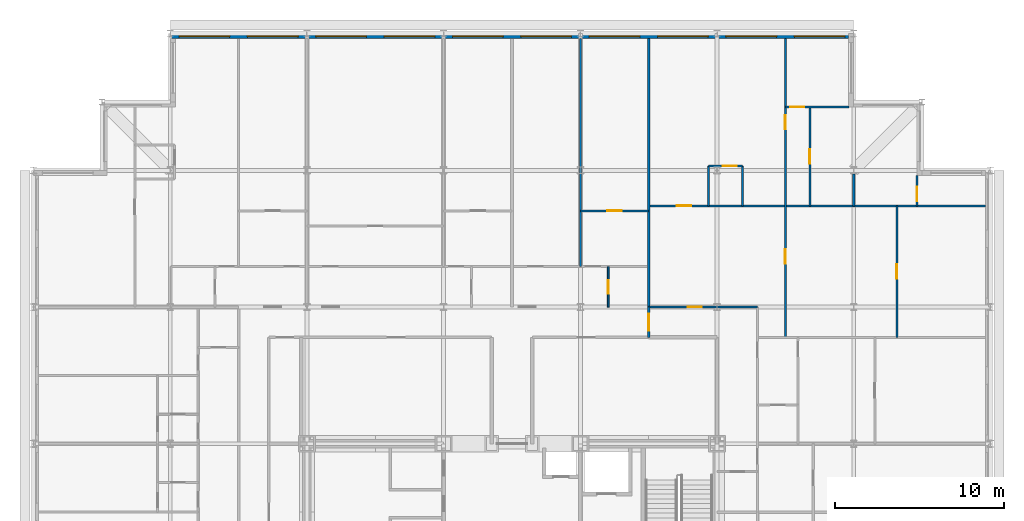
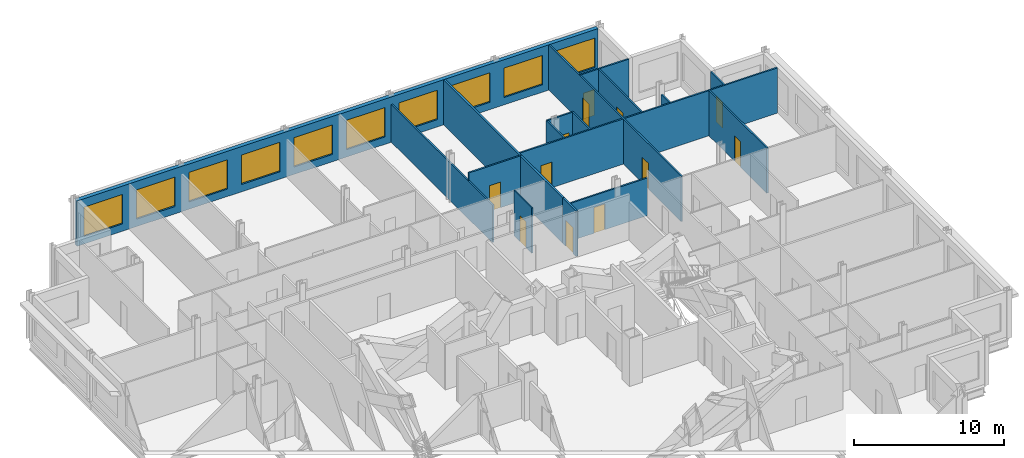
# One storey, part 13 of 15: 17 walls, 12 doors, 10 windows, 22 openings.
"""IFC4 building model written with IfcOpenShell, lengths in metres."""

from ifc_helpers import new_model, si_unit, direction, frame, frame_2d, origin, place, context, subcontext, project, spatial, rectangle, extrude, material, layer, layer_set, type_object, element, fill, save


model = new_model("IFC4")

# Units and contexts
model_context = context("Model", 3, precision=1e-05, world=origin(), true_north=direction((0.0, 1.0)))
body_context = subcontext(model_context, "Body", "Model", "MODEL_VIEW")
ifc_project = project(units=[si_unit("LENGTHUNIT", "METRE"), si_unit("AREAUNIT", "SQUARE_METRE"), si_unit("VOLUMEUNIT", "CUBIC_METRE"), si_unit("PLANEANGLEUNIT", "RADIAN"), si_unit("MASSUNIT", "GRAM", prefix="KILO")], contexts=[model_context])

# Site, building, storey
site_placement = place(None, origin())
site = spatial("IfcSite", under=ifc_project, at=site_placement, CompositionType="ELEMENT")
building_placement = place(site_placement, origin())
building = spatial("IfcBuilding", under=site, at=building_placement, Name="Kopane Lantern Tower", CompositionType="ELEMENT")
storey_placement = place(building_placement, frame((0.0, 0.0, 285.300048828125)))
storey = spatial("IfcBuildingStorey", under=building, at=storey_placement, Name="L73", CompositionType="ELEMENT", Elevation=285.300048828125)

# Wall
ifc_material_1 = material(Name="Gypsum board on steel studs", Category="steel")
ifc_layer_1 = layer(ifc_material_1, 0.1201171875)
ifc_layer_set_1 = layer_set([ifc_layer_1], Name="APARTMENT INTERNAL WALL 120")
wall_type_1 = type_object("IfcWallType", Name="APARTMENT INTERNAL WALL 120", PredefinedType="PARTITIONING", material=ifc_layer_set_1)
wall_1_placement = place(storey_placement, frame((32.39990234375, 51.0, 0.0), z_axis=(0.0, 0.0, 1.0), x_axis=(0.0, 1.0, 0.0)))
element("IfcWall", 1, at=wall_1_placement, inside=storey, type_object=wall_type_1, Name="Apartment Internal Wall 120 L73", PredefinedType="PARTITIONING", context=body_context, shape_type="SweptSolid", body=[
    extrude(rectangle(XDim=13.5, YDim=0.1201171875, at=frame_2d((6.75, 0.0))), origin(), (0.0, 0.0, 1.0), 3.07763671875),
])

# Wall, opening, door
wall_2_placement = place(storey_placement, frame((36.449951171875, 48.60009765625, 0.0), z_axis=(0.0, 0.0, 1.0), x_axis=(1.0, 0.0, 0.0)))
wall_2 = element("IfcWall", 2, at=wall_2_placement, inside=storey, type_object=wall_type_1, Name="Apartment Internal Wall 120 L73", PredefinedType="PARTITIONING", context=body_context, shape_type="SweptSolid", body=[
    extrude(rectangle(XDim=6.449951171875, YDim=0.1201171875, at=frame_2d((3.22509765625, 0.0))), origin(), (0.0, 0.0, 1.0), 3.07763671875),
])
opening_1_placement = place(wall_2_placement, frame((2.300048828125, 0.0, 0.0)))
opening_1 = element("IfcOpeningElement", 3, at=opening_1_placement, cuts=wall_2, Name="Opening L73-047", PredefinedType="OPENING", context=body_context, shape_type="SweptSolid", body=[
    extrude(rectangle(XDim=0.85009765625, YDim=2.10009765625, at=frame_2d((0.425048828125, 1.050048828125))), frame((0.0, 0.070068359375, 0.0), z_axis=(0.0, -1.0, 0.0), x_axis=(1.0, 0.0, 0.0)), (0.0, 0.0, 1.0), 0.14013671875),
])
ifc_material_2 = material(Name="Timber door set", Category="wood")
door_type_1 = type_object("IfcDoorType", Name="DOOR D4 850x2100", OperationType="SINGLE_SWING_LEFT", PredefinedType="DOOR", material=ifc_material_2)
door_1_placement = place(opening_1_placement, origin())
door_1 = element("IfcDoor", 4, at=door_1_placement, inside=storey, type_object=door_type_1, Name="Door L73-047", OperationType="SINGLE_SWING_LEFT", OverallHeight=2.10009765625, OverallWidth=0.85009765625, PredefinedType="DOOR", context=body_context, shape_type="SweptSolid", body=[
    extrude(rectangle(XDim=0.85009765625, YDim=2.10009765625, at=frame_2d((0.425048828125, 1.050048828125))), frame((0.0, 0.02490234375, 0.0), z_axis=(0.0, -1.0, 0.0), x_axis=(1.0, 0.0, 0.0)), (0.0, 0.0, 1.0), 0.050048828125),
])
fill(opening_1, door_1)

wall_3_placement = place(storey_placement, frame((36.449951171875, 54.60009765625, 0.0), z_axis=(0.0, 0.0, 1.0), x_axis=(1.0, 0.0, 0.0)))
wall_3 = element("IfcWall", 5, at=wall_3_placement, inside=storey, type_object=wall_type_1, Name="Apartment Internal Wall 120 L73", PredefinedType="PARTITIONING", context=body_context, shape_type="SweptSolid", body=[
    extrude(rectangle(XDim=19.949951171875, YDim=0.1201171875, at=frame_2d((9.97509765625, 0.0))), origin(), (0.0, 0.0, 1.0), 3.68994140625),
])
opening_2_placement = place(wall_3_placement, frame((1.675048828125, 0.0, 0.0)))
opening_2 = element("IfcOpeningElement", 6, at=opening_2_placement, cuts=wall_3, Name="Opening L73-048", PredefinedType="OPENING", context=body_context, shape_type="SweptSolid", body=[
    extrude(rectangle(XDim=0.85009765625, YDim=2.10009765625, at=frame_2d((0.425048828125, 1.050048828125))), frame((0.0, 0.070068359375, 0.0), z_axis=(0.0, -1.0, 0.0), x_axis=(1.0, 0.0, 0.0)), (0.0, 0.0, 1.0), 0.14013671875),
])
door_2_placement = place(opening_2_placement, origin())
door_2 = element("IfcDoor", 7, at=door_2_placement, inside=storey, type_object=door_type_1, Name="Door L73-048", OperationType="SINGLE_SWING_LEFT", OverallHeight=2.10009765625, OverallWidth=0.85009765625, PredefinedType="DOOR", context=body_context, shape_type="SweptSolid", body=[
    extrude(rectangle(XDim=0.85009765625, YDim=2.10009765625, at=frame_2d((0.425048828125, 1.050048828125))), frame((0.0, 0.02490234375, 0.0), z_axis=(0.0, -1.0, 0.0), x_axis=(1.0, 0.0, 0.0)), (0.0, 0.0, 1.0), 0.050048828125),
])
fill(opening_2, door_2)

# Wall, openings, doors
wall_4_placement = place(storey_placement, frame((44.550048828125, 64.5, 0.0), z_axis=(0.0, 0.0, 1.0), x_axis=(0.0, -1.0, 0.0)))
wall_4 = element("IfcWall", 8, at=wall_4_placement, inside=storey, type_object=wall_type_1, Name="Apartment Internal Wall 120 L73", PredefinedType="PARTITIONING", context=body_context, shape_type="SweptSolid", body=[
    extrude(rectangle(XDim=17.699951171875, YDim=0.1201171875, at=frame_2d((8.85009765625, 0.0))), origin(), (0.0, 0.0, 1.0), 3.68994140625),
])
opening_3_placement = place(wall_4_placement, frame((12.47509765625, 0.0, 0.0)))
opening_3 = element("IfcOpeningElement", 9, at=opening_3_placement, cuts=wall_4, Name="Opening L73-049", PredefinedType="OPENING", context=body_context, shape_type="SweptSolid", body=[
    extrude(rectangle(XDim=0.85009765625, YDim=2.10009765625, at=frame_2d((0.425048828125, 1.050048828125))), frame((0.0, 0.070068359375, 0.0), z_axis=(0.0, -1.0, 0.0), x_axis=(1.0, 0.0, 0.0)), (0.0, 0.0, 1.0), 0.14013671875),
])
opening_4_placement = place(wall_4_placement, frame((4.52490234375, 0.0, 0.0)))
opening_4 = element("IfcOpeningElement", 10, at=opening_4_placement, cuts=wall_4, Name="Opening L73-050", PredefinedType="OPENING", context=body_context, shape_type="SweptSolid", body=[
    extrude(rectangle(XDim=0.85009765625, YDim=2.10009765625, at=frame_2d((0.425048828125, 1.050048828125))), frame((0.0, 0.070068359375, 0.0), z_axis=(0.0, -1.0, 0.0), x_axis=(1.0, 0.0, 0.0)), (0.0, 0.0, 1.0), 0.14013671875),
])
door_3_placement = place(opening_3_placement, origin())
door_3 = element("IfcDoor", 11, at=door_3_placement, inside=storey, type_object=door_type_1, Name="Door L73-049", OperationType="SINGLE_SWING_LEFT", OverallHeight=2.10009765625, OverallWidth=0.85009765625, PredefinedType="DOOR", context=body_context, shape_type="SweptSolid", body=[
    extrude(rectangle(XDim=0.85009765625, YDim=2.10009765625, at=frame_2d((0.425048828125, 1.050048828125))), frame((0.0, 0.02490234375, 0.0), z_axis=(0.0, -1.0, 0.0), x_axis=(1.0, 0.0, 0.0)), (0.0, 0.0, 1.0), 0.050048828125),
])
fill(opening_3, door_3)
door_4_placement = place(opening_4_placement, origin())
door_4 = element("IfcDoor", 12, at=door_4_placement, inside=storey, type_object=door_type_1, Name="Door L73-050", OperationType="SINGLE_SWING_LEFT", OverallHeight=2.10009765625, OverallWidth=0.85009765625, PredefinedType="DOOR", context=body_context, shape_type="SweptSolid", body=[
    extrude(rectangle(XDim=0.85009765625, YDim=2.10009765625, at=frame_2d((0.425048828125, 1.050048828125))), frame((0.0, 0.02490234375, 0.0), z_axis=(0.0, -1.0, 0.0), x_axis=(1.0, 0.0, 0.0)), (0.0, 0.0, 1.0), 0.050048828125),
])
fill(opening_4, door_4)

# Wall, opening, door
wall_5_placement = place(storey_placement, frame((52.35009765625, 54.60009765625, 0.0), z_axis=(0.0, 0.0, 1.0), x_axis=(0.0, 1.0, 0.0)))
wall_5 = element("IfcWall", 13, at=wall_5_placement, inside=storey, type_object=wall_type_1, Name="Apartment Internal Wall 120 L73", PredefinedType="PARTITIONING", context=body_context, shape_type="SweptSolid", body=[
    extrude(rectangle(XDim=1.7998046875, YDim=0.1201171875, at=frame_2d((0.89990234375, 0.0))), origin(), (0.0, 0.0, 1.0), 3.68994140625),
])
opening_5_placement = place(wall_5_placement, frame((0.27490234375, 0.0, 0.0)))
opening_5 = element("IfcOpeningElement", 14, at=opening_5_placement, cuts=wall_5, Name="Opening L73-057", PredefinedType="OPENING", context=body_context, shape_type="SweptSolid", body=[
    extrude(rectangle(XDim=0.85009765625, YDim=2.10009765625, at=frame_2d((0.425048828125, 1.050048828125))), frame((0.0, 0.070068359375, 0.0), z_axis=(0.0, -1.0, 0.0), x_axis=(1.0, 0.0, 0.0)), (0.0, 0.0, 1.0), 0.14013671875),
])
door_5_placement = place(opening_5_placement, origin())
door_5 = element("IfcDoor", 15, at=door_5_placement, inside=storey, type_object=door_type_1, Name="Door L73-057", OperationType="SINGLE_SWING_RIGHT", OverallHeight=2.10009765625, OverallWidth=0.85009765625, PredefinedType="DOOR", context=body_context, shape_type="SweptSolid", body=[
    extrude(rectangle(XDim=0.85009765625, YDim=2.10009765625, at=frame_2d((0.425048828125, 1.050048828125))), frame((0.0, 0.02490234375, 0.0), z_axis=(0.0, -1.0, 0.0), x_axis=(1.0, 0.0, 0.0)), (0.0, 0.0, 1.0), 0.050048828125),
])
fill(opening_5, door_5)

wall_6_placement = place(storey_placement, frame((48.31005859375, 60.449951171875, 0.0), z_axis=(0.0, 0.0, 1.0), x_axis=(-1.0, 0.0, 0.0)))
wall_6 = element("IfcWall", 16, at=wall_6_placement, inside=storey, type_object=wall_type_1, Name="Apartment Internal Wall 120 L73", PredefinedType="PARTITIONING", context=body_context, shape_type="SweptSolid", body=[
    extrude(rectangle(XDim=3.760009765625, YDim=0.1201171875, at=frame_2d((1.8798828125, 0.0))), origin(), (0.0, 0.0, 1.0), 3.68994140625),
])
opening_6_placement = place(wall_6_placement, frame((2.635009765625, 0.0, 0.0)))
opening_6 = element("IfcOpeningElement", 17, at=opening_6_placement, cuts=wall_6, Name="Opening L73-058", PredefinedType="OPENING", context=body_context, shape_type="SweptSolid", body=[
    extrude(rectangle(XDim=0.85009765625, YDim=2.10009765625, at=frame_2d((0.425048828125, 1.050048828125))), frame((0.0, 0.070068359375, 0.0), z_axis=(0.0, -1.0, 0.0), x_axis=(1.0, 0.0, 0.0)), (0.0, 0.0, 1.0), 0.14013671875),
])
door_6_placement = place(opening_6_placement, origin())
door_6 = element("IfcDoor", 18, at=door_6_placement, inside=storey, type_object=door_type_1, Name="Door L73-058", OperationType="SINGLE_SWING_LEFT", OverallHeight=2.10009765625, OverallWidth=0.85009765625, PredefinedType="DOOR", context=body_context, shape_type="SweptSolid", body=[
    extrude(rectangle(XDim=0.85009765625, YDim=2.10009765625, at=frame_2d((0.425048828125, 1.050048828125))), frame((0.0, 0.02490234375, 0.0), z_axis=(0.0, -1.0, 0.0), x_axis=(1.0, 0.0, 0.0)), (0.0, 0.0, 1.0), 0.050048828125),
])
fill(opening_6, door_6)

wall_7_placement = place(storey_placement, frame((32.39990234375, 54.300048828125, 0.0), z_axis=(0.0, 0.0, 1.0), x_axis=(1.0, 0.0, 0.0)))
wall_7 = element("IfcWall", 19, at=wall_7_placement, inside=storey, type_object=wall_type_1, Name="Apartment Internal Wall 120 L73", PredefinedType="PARTITIONING", context=body_context, shape_type="SweptSolid", body=[
    extrude(rectangle(XDim=4.050048828125, YDim=0.1201171875, at=frame_2d((2.02490234375, 0.0))), origin(), (0.0, 0.0, 1.0), 3.68994140625),
])
opening_7_placement = place(wall_7_placement, frame((1.60009765625, 0.0, 0.0)))
opening_7 = element("IfcOpeningElement", 20, at=opening_7_placement, cuts=wall_7, Name="Opening L73-062", PredefinedType="OPENING", context=body_context, shape_type="SweptSolid", body=[
    extrude(rectangle(XDim=0.85009765625, YDim=2.10009765625, at=frame_2d((0.425048828125, 1.050048828125))), frame((0.0, 0.070068359375, 0.0), z_axis=(0.0, -1.0, 0.0), x_axis=(1.0, 0.0, 0.0)), (0.0, 0.0, 1.0), 0.14013671875),
])
door_7_placement = place(opening_7_placement, origin())
door_7 = element("IfcDoor", 21, at=door_7_placement, inside=storey, type_object=door_type_1, Name="Door L73-062", OperationType="SINGLE_SWING_RIGHT", OverallHeight=2.10009765625, OverallWidth=0.85009765625, PredefinedType="DOOR", context=body_context, shape_type="SweptSolid", body=[
    extrude(rectangle(XDim=0.85009765625, YDim=2.10009765625, at=frame_2d((0.425048828125, 1.050048828125))), frame((0.0, 0.02490234375, 0.0), z_axis=(0.0, -1.0, 0.0), x_axis=(1.0, 0.0, 0.0)), (0.0, 0.0, 1.0), 0.050048828125),
])
fill(opening_7, door_7)

wall_8_placement = place(storey_placement, frame((51.14990234375, 46.800048828125, 0.0), z_axis=(0.0, 0.0, 1.0), x_axis=(0.0, 1.0, 0.0)))
wall_8 = element("IfcWall", 22, at=wall_8_placement, inside=storey, type_object=wall_type_1, Name="Apartment Internal Wall 120 L73", PredefinedType="PARTITIONING", context=body_context, shape_type="SweptSolid", body=[
    extrude(rectangle(XDim=7.800048828125, YDim=0.1201171875, at=frame_2d((3.89990234375, 0.0))), origin(), (0.0, 0.0, 1.0), 3.68994140625),
])
opening_8_placement = place(wall_8_placement, frame((3.47509765625, 0.0, 0.0)))
opening_8 = element("IfcOpeningElement", 23, at=opening_8_placement, cuts=wall_8, Name="Opening L73-069", PredefinedType="OPENING", context=body_context, shape_type="SweptSolid", body=[
    extrude(rectangle(XDim=0.85009765625, YDim=2.10009765625, at=frame_2d((0.425048828125, 1.050048828125))), frame((0.0, 0.070068359375, 0.0), z_axis=(0.0, -1.0, 0.0), x_axis=(1.0, 0.0, 0.0)), (0.0, 0.0, 1.0), 0.14013671875),
])
door_8_placement = place(opening_8_placement, origin())
door_8 = element("IfcDoor", 24, at=door_8_placement, inside=storey, type_object=door_type_1, Name="Door L73-069", OperationType="SINGLE_SWING_RIGHT", OverallHeight=2.10009765625, OverallWidth=0.85009765625, PredefinedType="DOOR", context=body_context, shape_type="SweptSolid", body=[
    extrude(rectangle(XDim=0.85009765625, YDim=2.10009765625, at=frame_2d((0.425048828125, 1.050048828125))), frame((0.0, 0.02490234375, 0.0), z_axis=(0.0, -1.0, 0.0), x_axis=(1.0, 0.0, 0.0)), (0.0, 0.0, 1.0), 0.050048828125),
])
fill(opening_8, door_8)

wall_9_placement = place(storey_placement, frame((46.0, 54.60009765625, 0.0), z_axis=(0.0, 0.0, 1.0), x_axis=(0.0, 1.0, 0.0)))
wall_9 = element("IfcWall", 25, at=wall_9_placement, inside=storey, type_object=wall_type_1, Name="Apartment Internal Wall 120 L73", PredefinedType="PARTITIONING", context=body_context, shape_type="SweptSolid", body=[
    extrude(rectangle(XDim=5.849853515625, YDim=0.1201171875, at=frame_2d((2.9248046875, 0.0))), origin(), (0.0, 0.0, 1.0), 3.68994140625),
])
opening_9_placement = place(wall_9_placement, frame((2.5, 0.0, 0.0)))
opening_9 = element("IfcOpeningElement", 26, at=opening_9_placement, cuts=wall_9, Name="Opening L73-070", PredefinedType="OPENING", context=body_context, shape_type="SweptSolid", body=[
    extrude(rectangle(XDim=0.85009765625, YDim=2.10009765625, at=frame_2d((0.425048828125, 1.050048828125))), frame((0.0, 0.070068359375, 0.0), z_axis=(0.0, -1.0, 0.0), x_axis=(1.0, 0.0, 0.0)), (0.0, 0.0, 1.0), 0.14013671875),
])
door_9_placement = place(opening_9_placement, origin())
door_9 = element("IfcDoor", 27, at=door_9_placement, inside=storey, type_object=door_type_1, Name="Door L73-070", OperationType="SINGLE_SWING_LEFT", OverallHeight=2.10009765625, OverallWidth=0.85009765625, PredefinedType="DOOR", context=body_context, shape_type="SweptSolid", body=[
    extrude(rectangle(XDim=0.85009765625, YDim=2.10009765625, at=frame_2d((0.425048828125, 1.050048828125))), frame((0.0, 0.02490234375, 0.0), z_axis=(0.0, -1.0, 0.0), x_axis=(1.0, 0.0, 0.0)), (0.0, 0.0, 1.0), 0.050048828125),
])
fill(opening_9, door_9)

# Walls
for number, where, z_axis, x_axis, name in (
    (28, (39.9970703125, 54.60009765625, 0.0), (0.0, 0.0, 1.0), (0.0, 1.0, 0.0), "Apartment Internal Wall 120 L73"),
    (29, (42.0029296875, 54.60009765625, 0.0), (0.0, 0.0, 1.0), (0.0, 1.0, 0.0), "Apartment Internal Wall 120 L73"),
):
    element("IfcWall", number, at=place(storey_placement, frame(where, z_axis=z_axis, x_axis=x_axis)), inside=storey, type_object=wall_type_1, Name=name, PredefinedType="PARTITIONING", context=body_context, shape_type="SweptSolid", body=[
        extrude(rectangle(XDim=2.36279296875, YDim=0.1201171875, at=frame_2d((1.181396484375, 0.0))), origin(), (0.0, 0.0, 1.0), 3.68994140625),
    ])

# Wall, opening, door
wall_10_placement = place(storey_placement, frame((39.9970703125, 56.962890625, 0.0), z_axis=(0.0, 0.0, 1.0), x_axis=(1.0, 0.0, 0.0)))
wall_10 = element("IfcWall", 30, at=wall_10_placement, inside=storey, type_object=wall_type_1, Name="Apartment Internal Wall 120 L73", PredefinedType="PARTITIONING", context=body_context, shape_type="SweptSolid", body=[
    extrude(rectangle(XDim=2.005859375, YDim=0.1201171875, at=frame_2d((1.0029296875, 0.0))), origin(), (0.0, 0.0, 1.0), 3.68994140625),
])
opening_10_placement = place(wall_10_placement, frame((0.8310546875, 0.0, 0.0)))
opening_10 = element("IfcOpeningElement", 31, at=opening_10_placement, cuts=wall_10, Name="Opening L73-073", PredefinedType="OPENING", context=body_context, shape_type="SweptSolid", body=[
    extrude(rectangle(XDim=0.85009765625, YDim=2.10009765625, at=frame_2d((0.425048828125, 1.050048828125))), frame((0.0, 0.070068359375, 0.0), z_axis=(0.0, -1.0, 0.0), x_axis=(1.0, 0.0, 0.0)), (0.0, 0.0, 1.0), 0.14013671875),
])
door_10_placement = place(opening_10_placement, origin())
door_10 = element("IfcDoor", 32, at=door_10_placement, inside=storey, type_object=door_type_1, Name="Door L73-073", OperationType="SINGLE_SWING_LEFT", OverallHeight=2.10009765625, OverallWidth=0.85009765625, PredefinedType="DOOR", context=body_context, shape_type="SweptSolid", body=[
    extrude(rectangle(XDim=0.85009765625, YDim=2.10009765625, at=frame_2d((0.425048828125, 1.050048828125))), frame((0.0, 0.02490234375, 0.0), z_axis=(0.0, -1.0, 0.0), x_axis=(1.0, 0.0, 0.0)), (0.0, 0.0, 1.0), 0.050048828125),
])
fill(opening_10, door_10)

# Wall
wall_11_placement = place(storey_placement, frame((48.60009765625, 54.60009765625, 0.0), z_axis=(0.0, 0.0, 1.0), x_axis=(0.0, 1.0, 0.0)))
element("IfcWall", 33, at=wall_11_placement, inside=storey, type_object=wall_type_1, Name="Apartment Internal Wall 120 L73", PredefinedType="PARTITIONING", context=body_context, shape_type="SweptSolid", body=[
    extrude(rectangle(XDim=1.89697265625, YDim=0.1201171875, at=frame_2d((0.948486328125, 0.0))), origin(), (0.0, 0.0, 1.0), 3.07763671875),
])

# Wall, opening, door
ifc_material_3 = material(Name="Moisture-resistant board on steel studs", Category="steel")
ifc_layer_2 = layer(ifc_material_3, 0.10009765625)
ifc_layer_set_2 = layer_set([ifc_layer_2], Name="BATHROOM WALL 100")
wall_type_2 = type_object("IfcWallType", Name="BATHROOM WALL 100", PredefinedType="PARTITIONING", material=ifc_layer_set_2)
wall_12_placement = place(storey_placement, frame((34.050048828125, 48.60009765625, 0.0), z_axis=(0.0, 0.0, 1.0), x_axis=(0.0, 1.0, 0.0)))
wall_12 = element("IfcWall", 34, at=wall_12_placement, inside=storey, type_object=wall_type_2, Name="Bathroom Wall 100 L73", PredefinedType="PARTITIONING", context=body_context, shape_type="SweptSolid", body=[
    extrude(rectangle(XDim=2.39990234375, YDim=0.10009765625, at=frame_2d((1.199951171875, 0.0))), origin(), (0.0, 0.0, 1.0), 3.68994140625),
])
opening_11_placement = place(wall_12_placement, frame((0.800048828125, 0.0, 0.0)))
opening_11 = element("IfcOpeningElement", 35, at=opening_11_placement, cuts=wall_12, Name="Opening L73-017", PredefinedType="OPENING", context=body_context, shape_type="SweptSolid", body=[
    extrude(rectangle(XDim=0.800048828125, YDim=2.10009765625, at=frame_2d((0.39990234375, 1.050048828125))), frame((0.0, 0.06005859375, 0.0), z_axis=(0.0, -1.0, 0.0), x_axis=(1.0, 0.0, 0.0)), (0.0, 0.0, 1.0), 0.1201171875),
])
ifc_material_4 = material(Name="Timber door set", Category="wood")
door_type_2 = type_object("IfcDoorType", Name="DOOR D2 800x2100", OperationType="SINGLE_SWING_LEFT", PredefinedType="DOOR", material=ifc_material_4)
door_11_placement = place(opening_11_placement, origin())
door_11 = element("IfcDoor", 36, at=door_11_placement, inside=storey, type_object=door_type_2, Name="Door L73-017", OperationType="SINGLE_SWING_RIGHT", OverallHeight=2.10009765625, OverallWidth=0.800048828125, PredefinedType="DOOR", context=body_context, shape_type="SweptSolid", body=[
    extrude(rectangle(XDim=0.800048828125, YDim=2.10009765625, at=frame_2d((0.39990234375, 1.050048828125))), frame((0.0, 0.02490234375, 0.0), z_axis=(0.0, -1.0, 0.0), x_axis=(1.0, 0.0, 0.0)), (0.0, 0.0, 1.0), 0.050048828125),
])
fill(opening_11, door_11)

ifc_material_5 = material(Name="Gypsum board on steel studs", Category="steel")
ifc_layer_3 = layer(ifc_material_5, 0.14990234375)
ifc_layer_set_3 = layer_set([ifc_layer_3], Name="CORRIDOR WALL 150 EI 60")
wall_type_3 = type_object("IfcWallType", Name="CORRIDOR WALL 150 EI 60", PredefinedType="PARTITIONING", material=ifc_layer_set_3)
wall_13_placement = place(storey_placement, frame((36.449951171875, 46.800048828125, 0.0), z_axis=(0.0, 0.0, 1.0), x_axis=(0.0, 1.0, 0.0)))
wall_13 = element("IfcWall", 37, at=wall_13_placement, inside=storey, type_object=wall_type_3, Name="Corridor Wall 150 Ei 60 L73", PredefinedType="PARTITIONING", context=body_context, shape_type="SweptSolid", body=[
    extrude(rectangle(XDim=1.800048828125, YDim=0.14990234375, at=frame_2d((0.89990234375, 0.0))), origin(), (0.0, 0.0, 1.0), 3.68994140625),
])
opening_12_placement = place(wall_13_placement, frame((0.39990234375, 0.0, 0.0)))
opening_12 = element("IfcOpeningElement", 38, at=opening_12_placement, cuts=wall_13, Name="Opening L73-045", PredefinedType="OPENING", context=body_context, shape_type="SweptSolid", body=[
    extrude(rectangle(XDim=1.0, YDim=2.10009765625, at=frame_2d((0.5, 1.050048828125))), frame((0.0, 0.0849609375, 0.0), z_axis=(0.0, -1.0, 0.0), x_axis=(1.0, 0.0, 0.0)), (0.0, 0.0, 1.0), 0.169921875),
])
ifc_material_6 = material(Name="Steel door set", Category="steel")
door_type_3 = type_object("IfcDoorType", Name="DOOR D3 1000x2100 FD30S", OperationType="SINGLE_SWING_LEFT", PredefinedType="DOOR", material=ifc_material_6)
door_12_placement = place(opening_12_placement, origin())
door_12 = element("IfcDoor", 39, at=door_12_placement, inside=storey, type_object=door_type_3, Name="Door L73-045", OperationType="SINGLE_SWING_RIGHT", OverallHeight=2.10009765625, OverallWidth=1.0, PredefinedType="DOOR", context=body_context, shape_type="SweptSolid", body=[
    extrude(rectangle(XDim=1.0, YDim=2.10009765625, at=frame_2d((0.5, 1.050048828125))), frame((0.0, 0.02490234375, 0.0), z_axis=(0.0, -1.0, 0.0), x_axis=(1.0, 0.0, 0.0)), (0.0, 0.0, 1.0), 0.050048828125),
])
fill(opening_12, door_12)

# Wall
ifc_material_7 = material(Name="Gypsum board on steel studs", Category="steel")
ifc_layer_4 = layer(ifc_material_7, 0.14990234375)
ifc_layer_set_4 = layer_set([ifc_layer_4], Name="DEMISING WALL 150 EI 60")
wall_type_4 = type_object("IfcWallType", Name="DEMISING WALL 150 EI 60", PredefinedType="PARTITIONING", material=ifc_layer_set_4)
wall_14_placement = place(storey_placement, frame((36.449951171875, 64.5, 0.0), z_axis=(0.0, 0.0, 1.0), x_axis=(0.0, -1.0, 0.0)))
element("IfcWall", 40, at=wall_14_placement, inside=storey, type_object=wall_type_4, Name="Demising Wall 150 Ei 60 L73", PredefinedType="PARTITIONING", context=body_context, shape_type="SweptSolid", body=[
    extrude(rectangle(XDim=15.89990234375, YDim=0.14990234375, at=frame_2d((7.949951171875, 0.0))), origin(), (0.0, 0.0, 1.0), 3.68994140625),
])

# Wall, openings, windows
ifc_material_8 = material(Name="Terracotta rainscreen on light steel framing", Category="masonry")
ifc_layer_5 = layer(ifc_material_8, 0.300048828125)
ifc_layer_set_5 = layer_set([ifc_layer_5], Name="EXTERNAL WALL EW1 300 TERRACOTTA")
wall_type_5 = type_object("IfcWallType", Name="EXTERNAL WALL EW1 300 TERRACOTTA", PredefinedType="SOLIDWALL", material=ifc_layer_set_5)
wall_15_placement = place(storey_placement, frame((48.300048828125, 64.64990234375, 0.0), z_axis=(0.0, 0.0, 1.0), x_axis=(-1.0, 0.0, 0.0)))
wall_15 = element("IfcWall", 41, at=wall_15_placement, inside=storey, type_object=wall_type_5, Name="External wall N L73", PredefinedType="SOLIDWALL", context=body_context, shape_type="SweptSolid", body=[
    extrude(rectangle(XDim=40.199951171875, YDim=0.300048828125, at=frame_2d((20.10009765625, 0.0))), origin(), (0.0, 0.0, 1.0), 3.68994140625),
])
opening_13_placement = place(wall_15_placement, frame((0.22509765625, 0.0, 0.60009765625)))
opening_13 = element("IfcOpeningElement", 42, at=opening_13_placement, cuts=wall_15, Name="Opening WR300240", PredefinedType="OPENING", context=body_context, shape_type="SweptSolid", body=[
    extrude(rectangle(XDim=3.0, YDim=2.39990234375, at=frame_2d((1.5, 1.199951171875))), frame((0.0, 0.159912109375, 0.0), z_axis=(0.0, -1.0, 0.0), x_axis=(1.0, 0.0, 0.0)), (0.0, 0.0, 1.0), 0.320068359375),
])
opening_14_placement = place(wall_15_placement, frame((4.27490234375, 0.0, 0.60009765625)))
opening_14 = element("IfcOpeningElement", 43, at=opening_14_placement, cuts=wall_15, Name="Opening WR300240", PredefinedType="OPENING", context=body_context, shape_type="SweptSolid", body=[
    extrude(rectangle(XDim=3.0, YDim=2.39990234375, at=frame_2d((1.5, 1.199951171875))), frame((0.0, 0.159912109375, 0.0), z_axis=(0.0, -1.0, 0.0), x_axis=(1.0, 0.0, 0.0)), (0.0, 0.0, 1.0), 0.320068359375),
])
opening_15_placement = place(wall_15_placement, frame((8.324951171875, 0.0, 0.60009765625)))
opening_15 = element("IfcOpeningElement", 44, at=opening_15_placement, cuts=wall_15, Name="Opening WR300240", PredefinedType="OPENING", context=body_context, shape_type="SweptSolid", body=[
    extrude(rectangle(XDim=3.0, YDim=2.39990234375, at=frame_2d((1.5, 1.199951171875))), frame((0.0, 0.159912109375, 0.0), z_axis=(0.0, -1.0, 0.0), x_axis=(1.0, 0.0, 0.0)), (0.0, 0.0, 1.0), 0.320068359375),
])
opening_16_placement = place(wall_15_placement, frame((12.375, 0.0, 0.60009765625)))
opening_16 = element("IfcOpeningElement", 45, at=opening_16_placement, cuts=wall_15, Name="Opening WR300240", PredefinedType="OPENING", context=body_context, shape_type="SweptSolid", body=[
    extrude(rectangle(XDim=3.0, YDim=2.39990234375, at=frame_2d((1.5, 1.199951171875))), frame((0.0, 0.159912109375, 0.0), z_axis=(0.0, -1.0, 0.0), x_axis=(1.0, 0.0, 0.0)), (0.0, 0.0, 1.0), 0.320068359375),
])
opening_17_placement = place(wall_15_placement, frame((16.425048828125, 0.0, 0.60009765625)))
opening_17 = element("IfcOpeningElement", 46, at=opening_17_placement, cuts=wall_15, Name="Opening WR300240", PredefinedType="OPENING", context=body_context, shape_type="SweptSolid", body=[
    extrude(rectangle(XDim=3.0, YDim=2.39990234375, at=frame_2d((1.5, 1.199951171875))), frame((0.0, 0.159912109375, 0.0), z_axis=(0.0, -1.0, 0.0), x_axis=(1.0, 0.0, 0.0)), (0.0, 0.0, 1.0), 0.320068359375),
])
opening_18_placement = place(wall_15_placement, frame((20.47509765625, 0.0, 0.60009765625)))
opening_18 = element("IfcOpeningElement", 47, at=opening_18_placement, cuts=wall_15, Name="Opening WR300240", PredefinedType="OPENING", context=body_context, shape_type="SweptSolid", body=[
    extrude(rectangle(XDim=3.0, YDim=2.39990234375, at=frame_2d((1.5, 1.199951171875))), frame((0.0, 0.159912109375, 0.0), z_axis=(0.0, -1.0, 0.0), x_axis=(1.0, 0.0, 0.0)), (0.0, 0.0, 1.0), 0.320068359375),
])
opening_19_placement = place(wall_15_placement, frame((24.52490234375, 0.0, 0.60009765625)))
opening_19 = element("IfcOpeningElement", 48, at=opening_19_placement, cuts=wall_15, Name="Opening WR300240", PredefinedType="OPENING", context=body_context, shape_type="SweptSolid", body=[
    extrude(rectangle(XDim=3.0, YDim=2.39990234375, at=frame_2d((1.5, 1.199951171875))), frame((0.0, 0.159912109375, 0.0), z_axis=(0.0, -1.0, 0.0), x_axis=(1.0, 0.0, 0.0)), (0.0, 0.0, 1.0), 0.320068359375),
])
opening_20_placement = place(wall_15_placement, frame((28.574951171875, 0.0, 0.60009765625)))
opening_20 = element("IfcOpeningElement", 49, at=opening_20_placement, cuts=wall_15, Name="Opening WR300240", PredefinedType="OPENING", context=body_context, shape_type="SweptSolid", body=[
    extrude(rectangle(XDim=3.0, YDim=2.39990234375, at=frame_2d((1.5, 1.199951171875))), frame((0.0, 0.159912109375, 0.0), z_axis=(0.0, -1.0, 0.0), x_axis=(1.0, 0.0, 0.0)), (0.0, 0.0, 1.0), 0.320068359375),
])
opening_21_placement = place(wall_15_placement, frame((32.625, 0.0, 0.60009765625)))
opening_21 = element("IfcOpeningElement", 50, at=opening_21_placement, cuts=wall_15, Name="Opening WR300240", PredefinedType="OPENING", context=body_context, shape_type="SweptSolid", body=[
    extrude(rectangle(XDim=3.0, YDim=2.39990234375, at=frame_2d((1.5, 1.199951171875))), frame((0.0, 0.159912109375, 0.0), z_axis=(0.0, -1.0, 0.0), x_axis=(1.0, 0.0, 0.0)), (0.0, 0.0, 1.0), 0.320068359375),
])
opening_22_placement = place(wall_15_placement, frame((36.675048828125, 0.0, 0.60009765625)))
opening_22 = element("IfcOpeningElement", 51, at=opening_22_placement, cuts=wall_15, Name="Opening WR300240", PredefinedType="OPENING", context=body_context, shape_type="SweptSolid", body=[
    extrude(rectangle(XDim=3.0, YDim=2.39990234375, at=frame_2d((1.5, 1.199951171875))), frame((0.0, 0.159912109375, 0.0), z_axis=(0.0, -1.0, 0.0), x_axis=(1.0, 0.0, 0.0)), (0.0, 0.0, 1.0), 0.320068359375),
])
ifc_material_9 = material(Name="Aluminium and clear glass", Category="aluminium")
window_type = type_object("IfcWindowType", Name="RIBBON WINDOW WR300240 3000x2400", PartitioningType="SINGLE_PANEL", PredefinedType="WINDOW", material=ifc_material_9)
window_1_placement = place(opening_13_placement, origin())
window_1 = element("IfcWindow", 52, at=window_1_placement, inside=storey, type_object=window_type, Name="Window N L73", OverallHeight=2.39990234375, OverallWidth=3.0, PartitioningType="SINGLE_PANEL", PredefinedType="WINDOW", context=body_context, shape_type="SweptSolid", body=[
    extrude(rectangle(XDim=3.0, YDim=2.39990234375, at=frame_2d((1.5, 1.199951171875))), frame((0.0, 0.030029296875, 0.0), z_axis=(0.0, -1.0, 0.0), x_axis=(1.0, 0.0, 0.0)), (0.0, 0.0, 1.0), 0.06005859375),
])
fill(opening_13, window_1)
window_2_placement = place(opening_14_placement, origin())
window_2 = element("IfcWindow", 53, at=window_2_placement, inside=storey, type_object=window_type, Name="Window N L73", OverallHeight=2.39990234375, OverallWidth=3.0, PartitioningType="SINGLE_PANEL", PredefinedType="WINDOW", context=body_context, shape_type="SweptSolid", body=[
    extrude(rectangle(XDim=3.0, YDim=2.39990234375, at=frame_2d((1.5, 1.199951171875))), frame((0.0, 0.030029296875, 0.0), z_axis=(0.0, -1.0, 0.0), x_axis=(1.0, 0.0, 0.0)), (0.0, 0.0, 1.0), 0.06005859375),
])
fill(opening_14, window_2)
window_3_placement = place(opening_15_placement, origin())
window_3 = element("IfcWindow", 54, at=window_3_placement, inside=storey, type_object=window_type, Name="Window N L73", OverallHeight=2.39990234375, OverallWidth=3.0, PartitioningType="SINGLE_PANEL", PredefinedType="WINDOW", context=body_context, shape_type="SweptSolid", body=[
    extrude(rectangle(XDim=3.0, YDim=2.39990234375, at=frame_2d((1.5, 1.199951171875))), frame((0.0, 0.030029296875, 0.0), z_axis=(0.0, -1.0, 0.0), x_axis=(1.0, 0.0, 0.0)), (0.0, 0.0, 1.0), 0.06005859375),
])
fill(opening_15, window_3)
window_4_placement = place(opening_16_placement, origin())
window_4 = element("IfcWindow", 55, at=window_4_placement, inside=storey, type_object=window_type, Name="Window N L73", OverallHeight=2.39990234375, OverallWidth=3.0, PartitioningType="SINGLE_PANEL", PredefinedType="WINDOW", context=body_context, shape_type="SweptSolid", body=[
    extrude(rectangle(XDim=3.0, YDim=2.39990234375, at=frame_2d((1.5, 1.199951171875))), frame((0.0, 0.030029296875, 0.0), z_axis=(0.0, -1.0, 0.0), x_axis=(1.0, 0.0, 0.0)), (0.0, 0.0, 1.0), 0.06005859375),
])
fill(opening_16, window_4)
window_5_placement = place(opening_17_placement, origin())
window_5 = element("IfcWindow", 56, at=window_5_placement, inside=storey, type_object=window_type, Name="Window N L73", OverallHeight=2.39990234375, OverallWidth=3.0, PartitioningType="SINGLE_PANEL", PredefinedType="WINDOW", context=body_context, shape_type="SweptSolid", body=[
    extrude(rectangle(XDim=3.0, YDim=2.39990234375, at=frame_2d((1.5, 1.199951171875))), frame((0.0, 0.030029296875, 0.0), z_axis=(0.0, -1.0, 0.0), x_axis=(1.0, 0.0, 0.0)), (0.0, 0.0, 1.0), 0.06005859375),
])
fill(opening_17, window_5)
window_6_placement = place(opening_18_placement, origin())
window_6 = element("IfcWindow", 57, at=window_6_placement, inside=storey, type_object=window_type, Name="Window N L73", OverallHeight=2.39990234375, OverallWidth=3.0, PartitioningType="SINGLE_PANEL", PredefinedType="WINDOW", context=body_context, shape_type="SweptSolid", body=[
    extrude(rectangle(XDim=3.0, YDim=2.39990234375, at=frame_2d((1.5, 1.199951171875))), frame((0.0, 0.030029296875, 0.0), z_axis=(0.0, -1.0, 0.0), x_axis=(1.0, 0.0, 0.0)), (0.0, 0.0, 1.0), 0.06005859375),
])
fill(opening_18, window_6)
window_7_placement = place(opening_19_placement, origin())
window_7 = element("IfcWindow", 58, at=window_7_placement, inside=storey, type_object=window_type, Name="Window N L73", OverallHeight=2.39990234375, OverallWidth=3.0, PartitioningType="SINGLE_PANEL", PredefinedType="WINDOW", context=body_context, shape_type="SweptSolid", body=[
    extrude(rectangle(XDim=3.0, YDim=2.39990234375, at=frame_2d((1.5, 1.199951171875))), frame((0.0, 0.030029296875, 0.0), z_axis=(0.0, -1.0, 0.0), x_axis=(1.0, 0.0, 0.0)), (0.0, 0.0, 1.0), 0.06005859375),
])
fill(opening_19, window_7)
window_8_placement = place(opening_20_placement, origin())
window_8 = element("IfcWindow", 59, at=window_8_placement, inside=storey, type_object=window_type, Name="Window N L73", OverallHeight=2.39990234375, OverallWidth=3.0, PartitioningType="SINGLE_PANEL", PredefinedType="WINDOW", context=body_context, shape_type="SweptSolid", body=[
    extrude(rectangle(XDim=3.0, YDim=2.39990234375, at=frame_2d((1.5, 1.199951171875))), frame((0.0, 0.030029296875, 0.0), z_axis=(0.0, -1.0, 0.0), x_axis=(1.0, 0.0, 0.0)), (0.0, 0.0, 1.0), 0.06005859375),
])
fill(opening_20, window_8)
window_9_placement = place(opening_21_placement, origin())
window_9 = element("IfcWindow", 60, at=window_9_placement, inside=storey, type_object=window_type, Name="Window N L73", OverallHeight=2.39990234375, OverallWidth=3.0, PartitioningType="SINGLE_PANEL", PredefinedType="WINDOW", context=body_context, shape_type="SweptSolid", body=[
    extrude(rectangle(XDim=3.0, YDim=2.39990234375, at=frame_2d((1.5, 1.199951171875))), frame((0.0, 0.030029296875, 0.0), z_axis=(0.0, -1.0, 0.0), x_axis=(1.0, 0.0, 0.0)), (0.0, 0.0, 1.0), 0.06005859375),
])
fill(opening_21, window_9)
window_10_placement = place(opening_22_placement, origin())
window_10 = element("IfcWindow", 61, at=window_10_placement, inside=storey, type_object=window_type, Name="Window N L73", OverallHeight=2.39990234375, OverallWidth=3.0, PartitioningType="SINGLE_PANEL", PredefinedType="WINDOW", context=body_context, shape_type="SweptSolid", body=[
    extrude(rectangle(XDim=3.0, YDim=2.39990234375, at=frame_2d((1.5, 1.199951171875))), frame((0.0, 0.030029296875, 0.0), z_axis=(0.0, -1.0, 0.0), x_axis=(1.0, 0.0, 0.0)), (0.0, 0.0, 1.0), 0.06005859375),
])
fill(opening_22, window_10)

save(model, "model.ifc")
